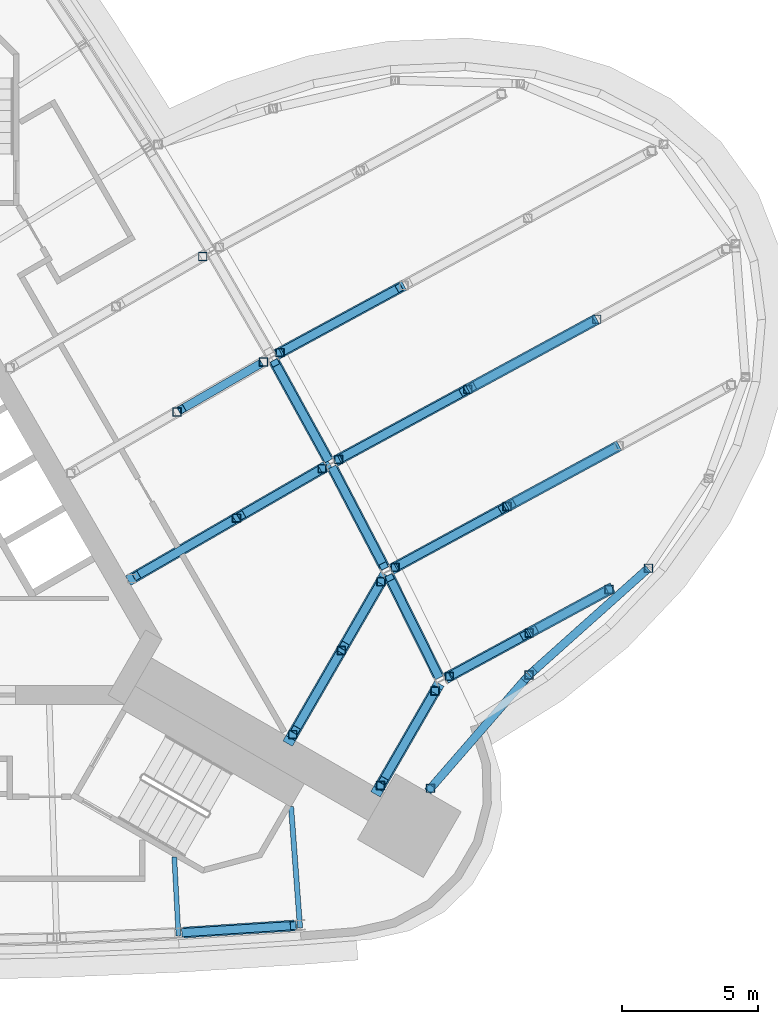
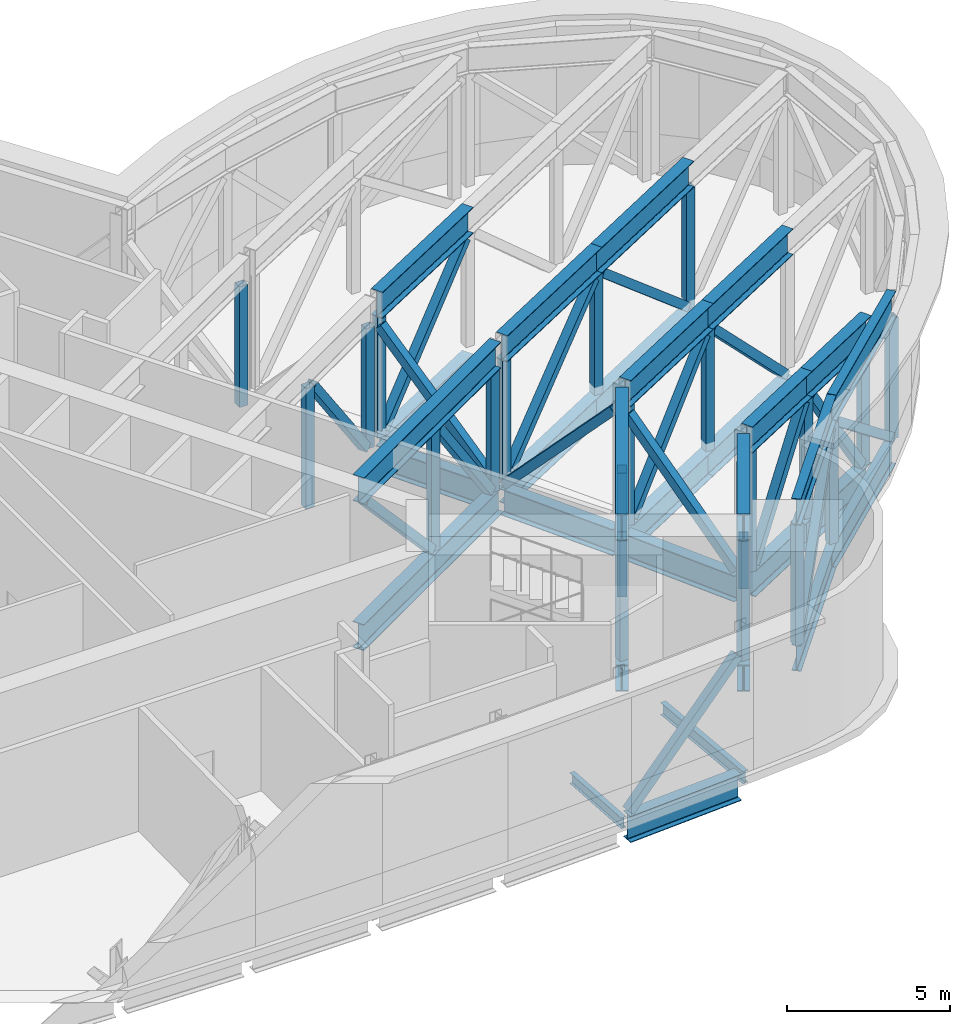
# One storey, part 3 of 11: 65 members, 6 beams.
"""IFC4 building model written with IfcOpenShell, lengths in metres."""

from ifc_helpers import new_model, si_unit, direction, frame, origin, origin_2d, place, context, subcontext, project, spatial, hollow_rectangle, i_section, extrude, material, material_profile, profile_set, type_object, element, save


model = new_model("IFC4")

# Units and contexts
model_context = context("Model", 3, precision=1e-05, world=origin(), true_north=direction((0.0, 1.0)))
body_context = subcontext(model_context, "Body", "Model", "MODEL_VIEW")
ifc_project = project(units=[si_unit("LENGTHUNIT", "METRE"), si_unit("AREAUNIT", "SQUARE_METRE"), si_unit("VOLUMEUNIT", "CUBIC_METRE"), si_unit("PLANEANGLEUNIT", "RADIAN"), si_unit("MASSUNIT", "GRAM", prefix="KILO")], contexts=[model_context])

# Site, building, storey
site_placement = place(None, origin())
site = spatial("IfcSite", under=ifc_project, at=site_placement, CompositionType="ELEMENT")
building_placement = place(site_placement, origin())
building = spatial("IfcBuilding", under=site, at=building_placement, Name="Noor Cloister Tower", CompositionType="ELEMENT")
storey_placement = place(building_placement, frame((0.0, 0.0, 168.89990234375)))
storey = spatial("IfcBuildingStorey", under=building, at=storey_placement, Name="L43", CompositionType="ELEMENT", Elevation=168.89990234375)

# Beams
ifc_material_1 = material(Name="Steel ASTM A992 Gr 50", Category="steel")
ifc_material_profile_1 = material_profile(ifc_material_1, i_section(OverallWidth=0.40087890625, OverallDepth=0.98291015625, WebThickness=0.0166015625, FlangeThickness=0.027099609375, FilletRadius=0.030029296875, at=origin_2d()), Name="W1000x296")
ifc_profile_set_1 = profile_set([ifc_material_profile_1], Name="Steel ASTM A992 Gr 50")
beam_type_1 = type_object("IfcBeamType", Name="Belt chord girder W1000x296", PredefinedType="BEAM", material=ifc_profile_set_1)
for number, where, z_axis, x_axis, name in (
    (1, (11.414794921875, -15.33544921875, -0.79150390625), (0.997984155367, 0.063463577241, 0.0), (-0.063463577241, 0.997984155367, 0.0), "Spandrel beam S 07 L43"),
    (2, (20.803955078125, -5.8818359375, -0.79150390625), (-0.444010656384, 0.896021504774, 0.0), (-0.896021504774, -0.444010656384, 0.0), "Spandrel beam NE 01 L43"),
):
    element("IfcBeam", number, at=place(storey_placement, frame(where, z_axis=z_axis, x_axis=x_axis)), inside=storey, type_object=beam_type_1, Name=name, PredefinedType="BEAM", context=body_context, shape_type="SweptSolid", body=[
        extrude(i_section(OverallWidth=0.40087890625, OverallDepth=0.98291015625, WebThickness=0.0166015625, FlangeThickness=0.027099609375, FilletRadius=0.030029296875, at=origin_2d()), origin(), (0.0, 0.0, 1.0), 4.08935546875),
    ])
for number, where, z_axis, x_axis, name in (
    (3, (18.807373046875, -1.862060546875, -0.79150390625), (-0.462882237946, 0.886419784185, 0.0), (-0.886419784185, -0.462882237946, 0.0), "Spandrel beam NE 02 L43"),
    (4, (16.72607421875, 2.114501953125, -0.79150390625), (-0.481531356591, 0.876428863411, 0.0), (-0.876428863411, -0.481531356591, 0.0), "Spandrel beam NE 03 L43"),
):
    element("IfcBeam", number, at=place(storey_placement, frame(where, z_axis=z_axis, x_axis=x_axis)), inside=storey, type_object=beam_type_1, Name=name, PredefinedType="BEAM", context=body_context, shape_type="SweptSolid", body=[
        extrude(i_section(OverallWidth=0.40087890625, OverallDepth=0.98291015625, WebThickness=0.0166015625, FlangeThickness=0.027099609375, FilletRadius=0.030029296875, at=origin_2d()), origin(), (0.0, 0.0, 1.0), 4.089111328125),
    ])

# Members
ifc_material_2 = material(Name="Steel ASTM A500 Gr C", Category="steel")
ifc_material_profile_2 = material_profile(ifc_material_2, hollow_rectangle(XDim=0.304931640625, YDim=0.304931640625, WallThickness=0.0126953125, at=origin_2d()), Name="HSS304.8x304.8x12.7")
ifc_profile_set_2 = profile_set([ifc_material_profile_2], Name="Steel ASTM A500 Gr C")
member_type_1 = type_object("IfcMemberType", Name="Belt truss diagonal HSS304.8x304.8x12.7", PredefinedType="BRACE", material=ifc_profile_set_2)
for number, where, z_axis, x_axis, name in (
    (5, (11.456298828125, -15.332763671875, -0.196044921875), (0.67947567833, 0.043237475226, 0.732422912868), (-0.063505144101, 0.997981511188, 0.0), "Belt truss diagonal S 07 L43"),
    (6, (20.785400390625, -5.844482421875, -0.196044921875), (-0.302290529451, 0.610058389017, 0.732426923177), (-0.896030380732, -0.443992744091, 0.0), "Belt truss diagonal NE 01 L43"),
):
    element("IfcMember", number, at=place(storey_placement, frame(where, z_axis=z_axis, x_axis=x_axis)), inside=storey, type_object=member_type_1, Name=name, PredefinedType="BRACE", context=body_context, shape_type="SweptSolid", body=[
        extrude(hollow_rectangle(XDim=0.304931640625, YDim=0.304931640625, WallThickness=0.0126953125, at=origin_2d()), origin(), (0.0, 0.0, 1.0), 5.883544921875),
    ])
member_1_placement = place(storey_placement, frame((16.933837890625, 1.725830078125, -0.196044921875), z_axis=(0.315148252961, -0.603532763571, 0.7324136686), x_axis=(0.886427228353, 0.462867982079, 0.0)))
element("IfcMember", 7, at=member_1_placement, inside=storey, type_object=member_type_1, Name="Belt truss diagonal NE 02 L43", PredefinedType="BRACE", context=body_context, shape_type="SweptSolid", body=[
    extrude(hollow_rectangle(XDim=0.304931640625, YDim=0.304931640625, WallThickness=0.0126953125, at=origin_2d()), origin(), (0.0, 0.0, 1.0), 5.8837890625),
])
member_2_placement = place(storey_placement, frame((16.7060546875, 2.15087890625, -0.196044921875), z_axis=(-0.327854177329, 0.596702071888, 0.732433120368), x_axis=(-0.876421715838, -0.481544365566, 0.0)))
element("IfcMember", 8, at=member_2_placement, inside=storey, type_object=member_type_1, Name="Belt truss diagonal NE 03 L43", PredefinedType="BRACE", context=body_context, shape_type="SweptSolid", body=[
    extrude(hollow_rectangle(XDim=0.304931640625, YDim=0.304931640625, WallThickness=0.0126953125, at=origin_2d()), origin(), (0.0, 0.0, 1.0), 5.883544921875),
])
ifc_material_3 = material(Name="Steel ASTM A992 Gr 50", Category="steel")
ifc_material_profile_3 = material_profile(ifc_material_3, i_section(OverallWidth=0.300048828125, OverallDepth=0.97998046875, WebThickness=0.0166015625, FlangeThickness=0.026123046875, FilletRadius=0.02978515625, at=origin_2d()), Name="W1000x249")
ifc_profile_set_3 = profile_set([ifc_material_profile_3], Name="Steel ASTM A992 Gr 50")
member_type_2 = type_object("IfcMemberType", Name="Pod ring chord W1000x249", PredefinedType="CHORD", material=ifc_profile_set_3)
member_3_placement = place(storey_placement, frame((20.427490234375, -10.115234375, -0.789794921875), z_axis=(0.655965001076, 0.754791307159, 0.0), x_axis=(-0.754791307159, 0.655965001076, 0.0)))
element("IfcMember", 9, at=member_3_placement, inside=storey, type_object=member_type_2, Name="Pod truss 3 bottom chord ring 1", PredefinedType="CHORD", context=body_context, shape_type="SweptSolid", body=[
    extrude(i_section(OverallWidth=0.300048828125, OverallDepth=0.97998046875, WebThickness=0.0166015625, FlangeThickness=0.026123046875, FilletRadius=0.02978515625, at=origin_2d()), origin(), (0.0, 0.0, 1.0), 5.6572265625),
])
member_4_placement = place(storey_placement, frame((20.41064453125, -10.134521484375, 4.710205078125), z_axis=(0.655973411386, 0.754783997946, 0.0), x_axis=(-0.754783997946, 0.655973411386, 0.0)))
element("IfcMember", 10, at=member_4_placement, inside=storey, type_object=member_type_2, Name="Pod truss 3 top chord ring 1", PredefinedType="CHORD", context=body_context, shape_type="SweptSolid", body=[
    extrude(i_section(OverallWidth=0.300048828125, OverallDepth=0.97998046875, WebThickness=0.0166015625, FlangeThickness=0.026123046875, FilletRadius=0.02978515625, at=origin_2d()), origin(), (0.0, 0.0, 1.0), 5.682861328125),
])
for number, where, z_axis, x_axis, name in (
    (11, (24.15185546875, -5.83154296875, -0.789794921875), (0.745393572573, 0.666624648484, 0.0), (-0.666624648484, 0.745393572573, 0.0), "Pod truss 3 bottom chord ring 2"),
    (12, (24.15185546875, -5.83154296875, 4.710205078125), (0.745393572573, 0.666624648484, 0.0), (-0.666624648484, 0.745393572573, 0.0), "Pod truss 3 top chord ring 2"),
):
    element("IfcMember", number, at=place(storey_placement, frame(where, z_axis=z_axis, x_axis=x_axis)), inside=storey, type_object=member_type_2, Name=name, PredefinedType="CHORD", context=body_context, shape_type="SweptSolid", body=[
        extrude(i_section(OverallWidth=0.300048828125, OverallDepth=0.97998046875, WebThickness=0.0166015625, FlangeThickness=0.026123046875, FilletRadius=0.02978515625, at=origin_2d()), origin(), (0.0, 0.0, 1.0), 5.870361328125),
    ])
ifc_material_4 = material(Name="Steel ASTM A992 Gr 50", Category="steel")
ifc_material_profile_4 = material_profile(ifc_material_4, i_section(OverallWidth=0.40087890625, OverallDepth=0.98291015625, WebThickness=0.0166015625, FlangeThickness=0.027099609375, FilletRadius=0.030029296875, at=origin_2d()), Name="W1000x296")
ifc_profile_set_4 = profile_set([ifc_material_profile_4], Name="Steel ASTM A992 Gr 50")
member_type_3 = type_object("IfcMemberType", Name="Pod truss chord W1000x296", PredefinedType="CHORD", material=ifc_profile_set_4)
member_5_placement = place(storey_placement, frame((21.22998046875, -5.877197265625, -0.79150390625), z_axis=(0.878731815146, 0.477315825267, 0.0), x_axis=(-0.477315825267, 0.878731815146, 0.0)))
element("IfcMember", 13, at=member_5_placement, inside=storey, type_object=member_type_3, Name="Pod truss 3 bottom chord line 1 cantilever 1", PredefinedType="CHORD", context=body_context, shape_type="SweptSolid", body=[
    extrude(i_section(OverallWidth=0.40087890625, OverallDepth=0.98291015625, WebThickness=0.0166015625, FlangeThickness=0.027099609375, FilletRadius=0.030029296875, at=origin_2d()), origin(), (0.0, 0.0, 1.0), 3.319580078125),
])
for number, where, z_axis, x_axis, name in (
    (14, (21.0703125, -5.9638671875, 4.70849609375), (0.878738962812, 0.477302666279, 0.0), (-0.477302666279, 0.878738962812, 0.0), "Pod truss 3 top chord line 1 cantilever 1"),
    (15, (24.14697265625, -4.292724609375, -0.79150390625), (0.878709715619, 0.477356507945, 0.0), (-0.477356507945, 0.878709715619, 0.0), "Pod truss 3 bottom chord line 1 cantilever 2"),
    (16, (24.14697265625, -4.292724609375, 4.70849609375), (0.878709715619, 0.477356507945, 0.0), (-0.477356507945, 0.878709715619, 0.0), "Pod truss 3 top chord line 1 cantilever 2"),
):
    element("IfcMember", number, at=place(storey_placement, frame(where, z_axis=z_axis, x_axis=x_axis)), inside=storey, type_object=member_type_3, Name=name, PredefinedType="CHORD", context=body_context, shape_type="SweptSolid", body=[
        extrude(i_section(OverallWidth=0.40087890625, OverallDepth=0.98291015625, WebThickness=0.0166015625, FlangeThickness=0.027099609375, FilletRadius=0.030029296875, at=origin_2d()), origin(), (0.0, 0.0, 1.0), 3.501220703125),
    ])
member_6_placement = place(storey_placement, frame((20.835205078125, -6.159912109375, -0.79150390625), z_axis=(-0.500009742867, -0.866019778664, 0.0), x_axis=(0.866019778664, -0.500009742867, 0.0)))
element("IfcMember", 17, at=member_6_placement, inside=storey, type_object=member_type_3, Name="Pod truss 3 bottom chord line 1 back span", PredefinedType="CHORD", context=body_context, shape_type="SweptSolid", body=[
    extrude(i_section(OverallWidth=0.40087890625, OverallDepth=0.98291015625, WebThickness=0.0166015625, FlangeThickness=0.027099609375, FilletRadius=0.030029296875, at=origin_2d()), origin(), (0.0, 0.0, 1.0), 4.7080078125),
])
member_7_placement = place(storey_placement, frame((20.756591796875, -6.2958984375, 4.70849609375), z_axis=(-0.4999813805, -0.866036153491, 0.0), x_axis=(0.866036153491, -0.4999813805, 0.0)))
element("IfcMember", 18, at=member_7_placement, inside=storey, type_object=member_type_3, Name="Pod truss 3 top chord line 1 back span", PredefinedType="CHORD", context=body_context, shape_type="SweptSolid", body=[
    extrude(i_section(OverallWidth=0.40087890625, OverallDepth=0.98291015625, WebThickness=0.0166015625, FlangeThickness=0.027099609375, FilletRadius=0.030029296875, at=origin_2d()), origin(), (0.0, 0.0, 1.0), 4.325927734375),
])
member_8_placement = place(storey_placement, frame((19.230712890625, -1.859130859375, -0.79150390625), z_axis=(0.878729392544, 0.477320285217, 0.0), x_axis=(-0.477320285217, 0.878729392544, 0.0)))
element("IfcMember", 19, at=member_8_placement, inside=storey, type_object=member_type_3, Name="Pod truss 3 bottom chord line 2 cantilever 1", PredefinedType="CHORD", context=body_context, shape_type="SweptSolid", body=[
    extrude(i_section(OverallWidth=0.40087890625, OverallDepth=0.98291015625, WebThickness=0.0166015625, FlangeThickness=0.027099609375, FilletRadius=0.030029296875, at=origin_2d()), origin(), (0.0, 0.0, 1.0), 4.669921875),
])
member_9_placement = place(storey_placement, frame((19.073974609375, -1.9443359375, 4.70849609375), z_axis=(0.878723697454, 0.477330769522, 0.0), x_axis=(-0.477330769522, 0.878723697454, 0.0)))
element("IfcMember", 20, at=member_9_placement, inside=storey, type_object=member_type_3, Name="Pod truss 3 top chord line 2 cantilever 1", PredefinedType="CHORD", context=body_context, shape_type="SweptSolid", body=[
    extrude(i_section(OverallWidth=0.40087890625, OverallDepth=0.98291015625, WebThickness=0.0166015625, FlangeThickness=0.027099609375, FilletRadius=0.030029296875, at=origin_2d()), origin(), (0.0, 0.0, 1.0), 4.84814453125),
])
for number, where, z_axis, x_axis, name in (
    (21, (23.334228515625, 0.369873046875, -0.79150390625), (0.87871885973, 0.477339675237, 0.0), (-0.477339675237, 0.87871885973, 0.0), "Pod truss 3 bottom chord line 2 cantilever 2"),
    (22, (23.334228515625, 0.369873046875, 4.70849609375), (0.87871885973, 0.477339675237, 0.0), (-0.477339675237, 0.87871885973, 0.0), "Pod truss 3 top chord line 2 cantilever 2"),
):
    element("IfcMember", number, at=place(storey_placement, frame(where, z_axis=z_axis, x_axis=x_axis)), inside=storey, type_object=member_type_3, Name=name, PredefinedType="CHORD", context=body_context, shape_type="SweptSolid", body=[
        extrude(i_section(OverallWidth=0.40087890625, OverallDepth=0.98291015625, WebThickness=0.0166015625, FlangeThickness=0.027099609375, FilletRadius=0.030029296875, at=origin_2d()), origin(), (0.0, 0.0, 1.0), 4.69580078125),
    ])
member_10_placement = place(storey_placement, frame((18.841796875, -2.139404296875, -0.79150390625), z_axis=(-0.500008413725, -0.866020546064, 0.0), x_axis=(0.866020546064, -0.500008413725, 0.0)))
element("IfcMember", 23, at=member_10_placement, inside=storey, type_object=member_type_3, Name="Pod truss 3 bottom chord line 2 back span", PredefinedType="CHORD", context=body_context, shape_type="SweptSolid", body=[
    extrude(i_section(OverallWidth=0.40087890625, OverallDepth=0.98291015625, WebThickness=0.0166015625, FlangeThickness=0.027099609375, FilletRadius=0.030029296875, at=origin_2d()), origin(), (0.0, 0.0, 1.0), 7.193359375),
])
member_11_placement = place(storey_placement, frame((18.764404296875, -2.273193359375, 4.70849609375), z_axis=(-0.500000573598, -0.866025072617, 0.0), x_axis=(0.866025072617, -0.500000573598, 0.0)))
element("IfcMember", 24, at=member_11_placement, inside=storey, type_object=member_type_3, Name="Pod truss 3 top chord line 2 back span", PredefinedType="CHORD", context=body_context, shape_type="SweptSolid", body=[
    extrude(i_section(OverallWidth=0.40087890625, OverallDepth=0.98291015625, WebThickness=0.0166015625, FlangeThickness=0.027099609375, FilletRadius=0.030029296875, at=origin_2d()), origin(), (0.0, 0.0, 1.0), 6.8134765625),
])
member_12_placement = place(storey_placement, frame((17.147705078125, 2.116455078125, -0.79150390625), z_axis=(0.878725313486, 0.477327794539, 0.0), x_axis=(-0.477327794539, 0.878725313486, 0.0)))
element("IfcMember", 25, at=member_12_placement, inside=storey, type_object=member_type_3, Name="Pod truss 3 bottom chord line 3 cantilever 1", PredefinedType="CHORD", context=body_context, shape_type="SweptSolid", body=[
    extrude(i_section(OverallWidth=0.40087890625, OverallDepth=0.98291015625, WebThickness=0.0166015625, FlangeThickness=0.027099609375, FilletRadius=0.030029296875, at=origin_2d()), origin(), (0.0, 0.0, 1.0), 5.388916015625),
])
member_13_placement = place(storey_placement, frame((16.992919921875, 2.0322265625, 4.70849609375), z_axis=(0.878714122496, 0.47734839575, 0.0), x_axis=(-0.47734839575, 0.878714122496, 0.0)))
element("IfcMember", 26, at=member_13_placement, inside=storey, type_object=member_type_3, Name="Pod truss 3 top chord line 3 cantilever 1", PredefinedType="CHORD", context=body_context, shape_type="SweptSolid", body=[
    extrude(i_section(OverallWidth=0.40087890625, OverallDepth=0.98291015625, WebThickness=0.0166015625, FlangeThickness=0.027099609375, FilletRadius=0.030029296875, at=origin_2d()), origin(), (0.0, 0.0, 1.0), 5.565185546875),
])
for number, where, z_axis, x_axis, name in (
    (27, (21.883056640625, 4.688720703125, -0.79150390625), (0.878728575341, 0.477321789655, 0.0), (-0.477321789655, 0.878728575341, 0.0), "Pod truss 3 bottom chord line 3 cantilever 2"),
    (28, (21.883056640625, 4.688720703125, 4.70849609375), (0.878728575341, 0.477321789655, 0.0), (-0.477321789655, 0.878728575341, 0.0), "Pod truss 3 top chord line 3 cantilever 2"),
):
    element("IfcMember", number, at=place(storey_placement, frame(where, z_axis=z_axis, x_axis=x_axis)), inside=storey, type_object=member_type_3, Name=name, PredefinedType="CHORD", context=body_context, shape_type="SweptSolid", body=[
        extrude(i_section(OverallWidth=0.40087890625, OverallDepth=0.98291015625, WebThickness=0.0166015625, FlangeThickness=0.027099609375, FilletRadius=0.030029296875, at=origin_2d()), origin(), (0.0, 0.0, 1.0), 5.41259765625),
    ])
member_14_placement = place(storey_placement, frame((16.802490234375, 1.92822265625, -0.79150390625), z_axis=(-0.866021298728, -0.500007110099, 0.0), x_axis=(0.500007110099, -0.866021298728, 0.0)))
element("IfcMember", 29, at=member_14_placement, inside=storey, type_object=member_type_3, Name="Pod truss 3 bottom chord line 3 back span", PredefinedType="CHORD", context=body_context, shape_type="SweptSolid", body=[
    extrude(i_section(OverallWidth=0.40087890625, OverallDepth=0.98291015625, WebThickness=0.0166015625, FlangeThickness=0.027099609375, FilletRadius=0.030029296875, at=origin_2d()), origin(), (0.0, 0.0, 1.0), 8.587158203125),
])
member_15_placement = place(storey_placement, frame((16.649658203125, 1.83984375, 4.70849609375), z_axis=(-0.866028486751, -0.499994660107, 0.0), x_axis=(0.499994660107, -0.866028486751, 0.0)))
element("IfcMember", 30, at=member_15_placement, inside=storey, type_object=member_type_3, Name="Pod truss 3 top chord line 3 back span", PredefinedType="CHORD", context=body_context, shape_type="SweptSolid", body=[
    extrude(i_section(OverallWidth=0.40087890625, OverallDepth=0.98291015625, WebThickness=0.0166015625, FlangeThickness=0.027099609375, FilletRadius=0.030029296875, at=origin_2d()), origin(), (0.0, 0.0, 1.0), 8.41064453125),
])
member_16_placement = place(storey_placement, frame((14.9873046875, 6.050537109375, -0.79150390625), z_axis=(0.878717079797, 0.477342951843, 0.0), x_axis=(-0.477342951843, 0.878717079797, 0.0)))
element("IfcMember", 31, at=member_16_placement, inside=storey, type_object=member_type_3, Name="Pod truss 3 bottom chord line 4 cantilever 1", PredefinedType="CHORD", context=body_context, shape_type="SweptSolid", body=[
    extrude(i_section(OverallWidth=0.40087890625, OverallDepth=0.98291015625, WebThickness=0.0166015625, FlangeThickness=0.027099609375, FilletRadius=0.030029296875, at=origin_2d()), origin(), (0.0, 0.0, 1.0), 5.1708984375),
])
member_17_placement = place(storey_placement, frame((14.833251953125, 5.966796875, 4.70849609375), z_axis=(0.878712795134, 0.477350839182, 0.0), x_axis=(-0.477350839182, 0.878712795134, 0.0)))
element("IfcMember", 32, at=member_17_placement, inside=storey, type_object=member_type_3, Name="Pod truss 3 top chord line 4 cantilever 1", PredefinedType="CHORD", context=body_context, shape_type="SweptSolid", body=[
    extrude(i_section(OverallWidth=0.40087890625, OverallDepth=0.98291015625, WebThickness=0.0166015625, FlangeThickness=0.027099609375, FilletRadius=0.030029296875, at=origin_2d()), origin(), (0.0, 0.0, 1.0), 5.34619140625),
])
ifc_material_5 = material(Name="Steel ASTM A500 Gr C", Category="steel")
ifc_material_profile_5 = material_profile(ifc_material_5, hollow_rectangle(XDim=0.304931640625, YDim=0.304931640625, WallThickness=0.0126953125, at=origin_2d()), Name="HSS304.8x304.8x12.7")
ifc_profile_set_5 = profile_set([ifc_material_profile_5], Name="Steel ASTM A500 Gr C")
member_type_4 = type_object("IfcMemberType", Name="Pod truss diagonal HSS304.8x304.8x12.7", PredefinedType="BRACE", material=ifc_profile_set_5)
member_18_placement = place(storey_placement, frame((20.640380859375, -9.870361328125, -0.1826171875), z_axis=(0.503999534341, 0.579947666443, 0.64003529088), x_axis=(-0.754800616495, 0.655954289062, 0.0)))
element("IfcMember", 33, at=member_18_placement, inside=storey, type_object=member_type_4, Name="Pod truss 3 diagonal ring 1", PredefinedType="BRACE", context=body_context, shape_type="SweptSolid", body=[
    extrude(hollow_rectangle(XDim=0.304931640625, YDim=0.304931640625, WallThickness=0.0126953125, at=origin_2d()), origin(), (0.0, 0.0, 1.0), 6.696044921875),
])
member_19_placement = place(storey_placement, frame((24.2919921875, -5.706298828125, 4.099609375), z_axis=(0.588459264603, 0.526300540807, -0.613778001112), x_axis=(-0.666643144307, 0.74537703087, 0.0)))
element("IfcMember", 34, at=member_19_placement, inside=storey, type_object=member_type_4, Name="Pod truss 3 diagonal ring 2", PredefinedType="BRACE", context=body_context, shape_type="SweptSolid", body=[
    extrude(hollow_rectangle(XDim=0.304931640625, YDim=0.304931640625, WallThickness=0.0126953125, at=origin_2d()), origin(), (0.0, 0.0, 1.0), 6.9716796875),
])
for number, where, z_axis, x_axis, name in (
    (35, (21.3779296875, -5.796875, -0.214111328125), (0.493972091779, 0.268336829087, 0.82703501661), (-0.477339916918, 0.878718728443, 0.0), "Pod truss 3 diagonal line 1 cantilever 1"),
    (36, (24.320556640625, -4.198486328125, 4.13134765625), (0.493972091779, 0.268336829087, -0.82703501661), (-0.477339916918, 0.878718728443, 0.0), "Pod truss 3 diagonal line 1 cantilever 2"),
):
    element("IfcMember", number, at=place(storey_placement, frame(where, z_axis=z_axis, x_axis=x_axis)), inside=storey, type_object=member_type_4, Name=name, PredefinedType="BRACE", context=body_context, shape_type="SweptSolid", body=[
        extrude(hollow_rectangle(XDim=0.304931640625, YDim=0.304931640625, WallThickness=0.0126953125, at=origin_2d()), origin(), (0.0, 0.0, 1.0), 5.254150390625),
    ])
member_20_placement = place(storey_placement, frame((20.58154296875, -6.598876953125, -0.201904296875), z_axis=(-0.3214052753, -0.55668120804, 0.766031775859), x_axis=(0.866021880676, -0.500006102154, 0.0)))
element("IfcMember", 37, at=member_20_placement, inside=storey, type_object=member_type_4, Name="Pod truss 3 diagonal line 1 back span 1", PredefinedType="BRACE", context=body_context, shape_type="SweptSolid", body=[
    extrude(hollow_rectangle(XDim=0.304931640625, YDim=0.304931640625, WallThickness=0.0126953125, at=origin_2d()), origin(), (0.0, 0.0, 1.0), 5.640869140625),
])
for number, where, z_axis, x_axis, name in (
    (38, (19.381591796875, -1.77734375, -0.192138671875), (0.621281004285, 0.337512240134, 0.707174236998), (-0.477359930478, 0.878707856329, 0.0), "Pod truss 3 diagonal line 2 cantilever 1"),
    (39, (23.5078125, 0.464111328125, 4.109375), (0.621281004285, 0.337512240134, -0.707174236998), (-0.477359930478, 0.878707856329, 0.0), "Pod truss 3 diagonal line 2 cantilever 2"),
):
    element("IfcMember", number, at=place(storey_placement, frame(where, z_axis=z_axis, x_axis=x_axis)), inside=storey, type_object=member_type_4, Name=name, PredefinedType="BRACE", context=body_context, shape_type="SweptSolid", body=[
        extrude(hollow_rectangle(XDim=0.304931640625, YDim=0.304931640625, WallThickness=0.0126953125, at=origin_2d()), origin(), (0.0, 0.0, 1.0), 6.082763671875),
    ])
member_21_placement = place(storey_placement, frame((18.58935546875, -2.576171875, -0.223388671875), z_axis=(-0.251041750973, -0.434884235786, 0.864785372641), x_axis=(0.866058842749, -0.499942077542, 0.0)))
element("IfcMember", 40, at=member_21_placement, inside=storey, type_object=member_type_4, Name="Pod truss 3 diagonal line 2 back span 1", PredefinedType="BRACE", context=body_context, shape_type="SweptSolid", body=[
    extrude(hollow_rectangle(XDim=0.304931640625, YDim=0.304931640625, WallThickness=0.0126953125, at=origin_2d()), origin(), (0.0, 0.0, 1.0), 5.04638671875),
])
member_22_placement = place(storey_placement, frame((17.125, -5.11279296875, -0.209716796875), z_axis=(-0.295951324966, -0.512628352981, 0.805993166827), x_axis=(0.866036224876, -0.499981256851, 0.0)))
element("IfcMember", 41, at=member_22_placement, inside=storey, type_object=member_type_4, Name="Pod truss 3 diagonal line 2 back span 2", PredefinedType="BRACE", context=body_context, shape_type="SweptSolid", body=[
    extrude(hollow_rectangle(XDim=0.304931640625, YDim=0.304931640625, WallThickness=0.0126953125, at=origin_2d()), origin(), (0.0, 0.0, 1.0), 5.380126953125),
])
for number, where, z_axis, x_axis, name in (
    (42, (17.30029296875, 2.19921875, -0.183837890625), (0.66822149474, 0.36300781201, 0.649388452613), (-0.477354904102, 0.8787105869, 0.0), "Pod truss 3 diagonal line 3 cantilever 1"),
    (43, (22.056640625, 4.782958984375, 4.10107421875), (0.66823046956, 0.362975686954, -0.649397174488), (-0.477317334641, 0.878730995272, 0.0), "Pod truss 3 diagonal line 3 cantilever 2"),
):
    element("IfcMember", number, at=place(storey_placement, frame(where, z_axis=z_axis, x_axis=x_axis)), inside=storey, type_object=member_type_4, Name=name, PredefinedType="BRACE", context=body_context, shape_type="SweptSolid", body=[
        extrude(hollow_rectangle(XDim=0.304931640625, YDim=0.304931640625, WallThickness=0.0126953125, at=origin_2d()), origin(), (0.0, 0.0, 1.0), 6.598388671875),
    ])
member_23_placement = place(storey_placement, frame((16.3466796875, 1.6650390625, -0.208251953125), z_axis=(-0.519853321395, -0.300161451476, 0.79978473809), x_axis=(0.500029980901, -0.866008093611, 0.0)))
element("IfcMember", 44, at=member_23_placement, inside=storey, type_object=member_type_4, Name="Pod truss 3 diagonal line 3 back span 1", PredefinedType="BRACE", context=body_context, shape_type="SweptSolid", body=[
    extrude(hollow_rectangle(XDim=0.304931640625, YDim=0.304931640625, WallThickness=0.0126953125, at=origin_2d()), origin(), (0.0, 0.0, 1.0), 5.418701171875),
])
member_24_placement = place(storey_placement, frame((13.187744140625, -0.158935546875, -0.1953125), z_axis=(-0.594247285375, -0.343050621729, 0.727452015432), x_axis=(0.499958235988, -0.866049514905, 0.0)))
element("IfcMember", 45, at=member_24_placement, inside=storey, type_object=member_type_4, Name="Pod truss 3 diagonal line 3 back span 2", PredefinedType="BRACE", context=body_context, shape_type="SweptSolid", body=[
    extrude(hollow_rectangle(XDim=0.304931640625, YDim=0.304931640625, WallThickness=0.0126953125, at=origin_2d()), origin(), (0.0, 0.0, 1.0), 5.921875),
])
member_25_placement = place(storey_placement, frame((15.140625, 6.1337890625, -0.186279296875), z_axis=(0.655124738588, 0.355858053348, 0.666465770132), x_axis=(-0.477318639784, 0.878730286331, 0.0)))
element("IfcMember", 46, at=member_25_placement, inside=storey, type_object=member_type_4, Name="Pod truss 3 diagonal line 4 cantilever 1", PredefinedType="BRACE", context=body_context, shape_type="SweptSolid", body=[
    extrude(hollow_rectangle(XDim=0.304931640625, YDim=0.304931640625, WallThickness=0.0126953125, at=origin_2d()), origin(), (0.0, 0.0, 1.0), 6.4365234375),
])
member_26_placement = place(storey_placement, frame((14.188720703125, 5.6005859375, -0.20751953125), z_axis=(-0.524487231708, -0.30282680196, 0.795744350775), x_axis=(0.500017284569, -0.866015424304, 0.0)))
element("IfcMember", 47, at=member_26_placement, inside=storey, type_object=member_type_4, Name="Pod truss 3 diagonal line 4 back span 1", PredefinedType="BRACE", context=body_context, shape_type="SweptSolid", body=[
    extrude(hollow_rectangle(XDim=0.304931640625, YDim=0.304931640625, WallThickness=0.0126953125, at=origin_2d()), origin(), (0.0, 0.0, 1.0), 5.4443359375),
])
ifc_material_6 = material(Name="Steel ASTM A500 Gr C", Category="steel")
ifc_material_profile_6 = material_profile(ifc_material_6, hollow_rectangle(XDim=0.304931640625, YDim=0.304931640625, WallThickness=0.0126953125, at=origin_2d()), Name="HSS304.8x304.8x12.7")
ifc_profile_set_6 = profile_set([ifc_material_profile_6], Name="Steel ASTM A500 Gr C")
member_type_5 = type_object("IfcMemberType", Name="Pod truss post HSS304.8x304.8x12.7", PredefinedType="POST", material=ifc_profile_set_6)
for number, where, z_axis, x_axis, name in (
    (48, (20.5107421875, -10.01953125, -0.2998046875), (0.0, 0.0, 1.0), (1.0, 0.0, 0.0), "Pod truss 3 post ring node 0"),
    (49, (24.144775390625, -5.838134765625, -0.2998046875), (0.0, 0.0, 1.0), (1.0, 0.0, 0.0), "Pod truss 3 post ring node 1"),
    (50, (28.541748046875, -1.9052734375, -0.2998046875), (0.0, 0.0, 1.0), (1.0, 0.0, 0.0), "Pod truss 3 post ring node 2"),
):
    element("IfcMember", number, at=place(storey_placement, frame(where, z_axis=z_axis, x_axis=x_axis)), inside=storey, type_object=member_type_5, Name=name, PredefinedType="POST", context=body_context, shape_type="SweptSolid", body=[
        extrude(hollow_rectangle(XDim=0.304931640625, YDim=0.304931640625, WallThickness=0.0126953125, at=origin_2d()), origin(), (0.0, 0.0, 1.0), 4.52001953125),
    ])
for number, where, z_axis, x_axis, name in (
    (51, (21.204345703125, -5.89111328125, -0.2998046875), (0.0, 0.0, 1.0), (1.0, 0.0, 0.0), "Pod truss 3 post line 1 cantilever 1"),
    (52, (24.14697265625, -4.292724609375, -0.2998046875), (0.0, 0.0, 1.0), (1.0, 0.0, 0.0), "Pod truss 3 post line 1 cantilever 2"),
    (53, (27.089599609375, -2.6943359375, -0.2998046875), (0.0, 0.0, 1.0), (1.0, 0.0, 0.0), "Pod truss 3 post line 1 cantilever 3"),
    (54, (20.680419921875, -6.427978515625, -0.2998046875), (0.0, 0.0, 1.0), (1.0, 0.0, 0.0), "Pod truss 3 post line 1 back span 1"),
    (55, (18.669921875, -9.91015625, -0.2998046875), (0.0, 0.0, 1.0), (1.0, 0.0, 0.0), "Pod truss 3 post line 1 back span 2"),
    (56, (19.2080078125, -1.87158203125, -0.2998046875), (0.0, 0.0, 1.0), (1.0, 0.0, 0.0), "Pod truss 3 post line 2 cantilever 1"),
    (57, (23.334228515625, 0.369873046875, -0.2998046875), (0.0, 0.0, 1.0), (1.0, 0.0, 0.0), "Pod truss 3 post line 2 cantilever 2"),
    (58, (18.688232421875, -2.4052734375, -0.2998046875), (0.0, 0.0, 1.0), (1.0, 0.0, 0.0), "Pod truss 3 post line 2 back span 1"),
    (59, (17.223876953125, -4.941650390625, -0.2998046875), (0.0, 0.0, 1.0), (1.0, 0.0, 0.0), "Pod truss 3 post line 2 back span 2"),
    (60, (15.433837890625, -8.041748046875, -0.2998046875), (0.0, 0.0, 1.0), (1.0, 0.0, 0.0), "Pod truss 3 post line 2 back span 3"),
    (61, (17.126708984375, 2.10498046875, -0.2998046875), (0.0, 0.0, 1.0), (1.0, 0.0, 0.0), "Pod truss 3 post line 3 cantilever 1"),
    (62, (21.883056640625, 4.688720703125, -0.2998046875), (0.0, 0.0, 1.0), (1.0, 0.0, 0.0), "Pod truss 3 post line 3 cantilever 2"),
    (63, (26.63916015625, 7.272216796875, -0.2998046875), (0.0, 0.0, 1.0), (1.0, 0.0, 0.0), "Pod truss 3 post line 3 cantilever 3"),
    (64, (16.517578125, 1.763671875, -0.2998046875), (0.0, 0.0, 1.0), (1.0, 0.0, 0.0), "Pod truss 3 post line 3 back span 1"),
    (65, (13.358642578125, -0.06005859375, -0.2998046875), (0.0, 0.0, 1.0), (1.0, 0.0, 0.0), "Pod truss 3 post line 3 back span 2"),
    (66, (14.96728515625, 6.03955078125, -0.2998046875), (0.0, 0.0, 1.0), (1.0, 0.0, 0.0), "Pod truss 3 post line 4 cantilever 1"),
    (67, (14.35986328125, 5.699462890625, -0.2998046875), (0.0, 0.0, 1.0), (1.0, 0.0, 0.0), "Pod truss 3 post line 4 back span 1"),
    (68, (11.162353515625, 3.853271484375, -0.2998046875), (0.0, 0.0, 1.0), (1.0, 0.0, 0.0), "Pod truss 3 post line 4 back span 2"),
    (69, (12.11572265625, 9.58642578125, -0.2998046875), (0.0, 0.0, 1.0), (1.0, 0.0, 0.0), "Pod truss 3 post line 5 back span 1"),
):
    element("IfcMember", number, at=place(storey_placement, frame(where, z_axis=z_axis, x_axis=x_axis)), inside=storey, type_object=member_type_5, Name=name, PredefinedType="POST", context=body_context, shape_type="SweptSolid", body=[
        extrude(hollow_rectangle(XDim=0.304931640625, YDim=0.304931640625, WallThickness=0.0126953125, at=origin_2d()), origin(), (0.0, 0.0, 1.0), 4.516845703125),
    ])

# Beams
ifc_material_7 = material(Name="Steel ASTM A992 Gr 50", Category="steel")
ifc_material_profile_7 = material_profile(ifc_material_7, i_section(OverallWidth=0.177978515625, OverallDepth=0.406005859375, WebThickness=0.0078125, FlangeThickness=0.0126953125, FilletRadius=0.01025390625, at=origin_2d()), Name="W410x60")
ifc_profile_set_7 = profile_set([ifc_material_profile_7], Name="Steel ASTM A992 Gr 50")
beam_type_2 = type_object("IfcBeamType", Name="Radial beam W410x60", PredefinedType="BEAM", material=ifc_profile_set_7)
beam_1_placement = place(storey_placement, frame((11.22119140625, -15.455078125, -0.5029296875), z_axis=(-0.052884867874, 0.998600616238, 0.0), x_axis=(-0.998600616238, -0.052884867874, 0.0)))
element("IfcBeam", 70, at=beam_1_placement, inside=storey, type_object=beam_type_2, Name="Radial beam S 07 L43", PredefinedType="BEAM", context=body_context, shape_type="SweptSolid", body=[
    extrude(i_section(OverallWidth=0.177978515625, OverallDepth=0.406005859375, WebThickness=0.0078125, FlangeThickness=0.0126953125, FilletRadius=0.01025390625, at=origin_2d()), origin(), (0.0, 0.0, 1.0), 2.908447265625),
])
ifc_material_8 = material(Name="Steel ASTM A992 Gr 50", Category="steel")
ifc_material_profile_8 = material_profile(ifc_material_8, i_section(OverallWidth=0.19091796875, OverallDepth=0.45703125, WebThickness=0.009033203125, FlangeThickness=0.014404296875, FilletRadius=0.01025390625, at=origin_2d()), Name="W460x74")
ifc_profile_set_8 = profile_set([ifc_material_profile_8], Name="Steel ASTM A992 Gr 50")
beam_type_3 = type_object("IfcBeamType", Name="Radial beam W460x74", PredefinedType="BEAM", material=ifc_profile_set_8)
beam_2_placement = place(storey_placement, frame((15.702880859375, -15.169921875, -0.5283203125), z_axis=(-0.074089931421, 0.997251564081, 0.0), x_axis=(-0.997251564081, -0.074089931421, 0.0)))
element("IfcBeam", 71, at=beam_2_placement, inside=storey, type_object=beam_type_3, Name="Radial beam S 08 L43", PredefinedType="BEAM", context=body_context, shape_type="SweptSolid", body=[
    extrude(i_section(OverallWidth=0.19091796875, OverallDepth=0.45703125, WebThickness=0.009033203125, FlangeThickness=0.014404296875, FilletRadius=0.01025390625, at=origin_2d()), origin(), (0.0, 0.0, 1.0), 4.491455078125),
])

save(model, "model.ifc")
